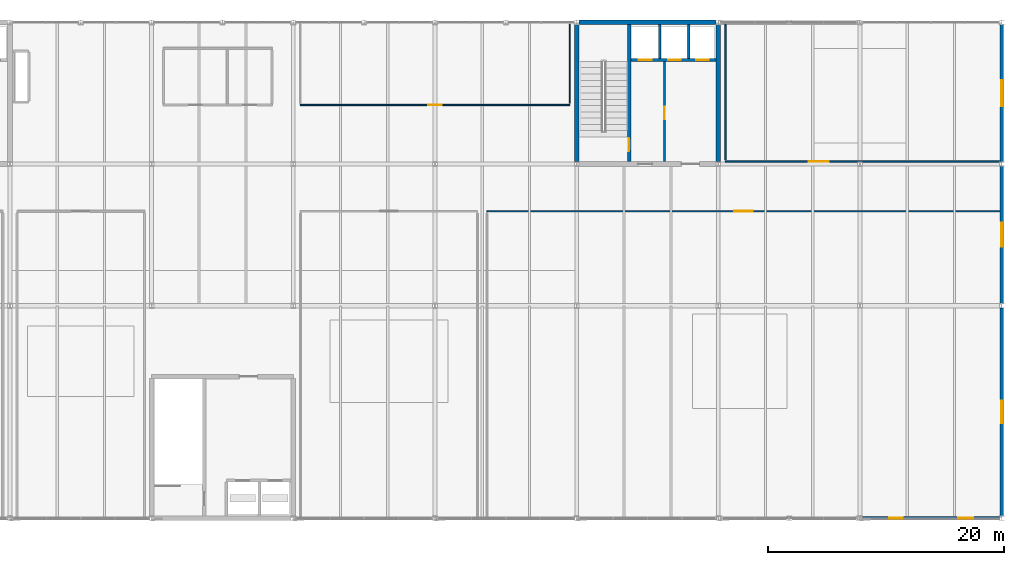
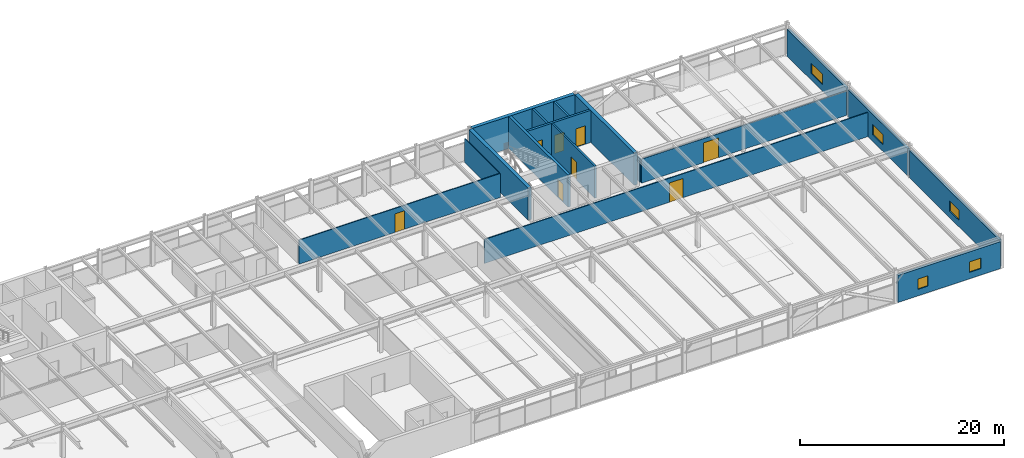
# One storey, part 47 of 52: 17 walls, 8 doors, 5 windows, 13 openings.
"""IFC4 building model written with IfcOpenShell, lengths in metres."""

from ifc_helpers import new_model, si_unit, direction, frame, frame_2d, origin, place, context, subcontext, project, spatial, rectangle, extrude, material, layer, layer_set, type_object, element, fill, save


model = new_model("IFC4")

# Units and contexts
model_context = context("Model", 3, precision=1e-05, world=origin(), true_north=direction((0.0, 1.0)))
body_context = subcontext(model_context, "Body", "Model", "MODEL_VIEW")
ifc_project = project(units=[si_unit("LENGTHUNIT", "METRE"), si_unit("AREAUNIT", "SQUARE_METRE"), si_unit("VOLUMEUNIT", "CUBIC_METRE"), si_unit("PLANEANGLEUNIT", "RADIAN"), si_unit("MASSUNIT", "GRAM", prefix="KILO")], contexts=[model_context])

# Site, building, storey
site_placement = place(None, origin())
site = spatial("IfcSite", under=ifc_project, at=site_placement, CompositionType="ELEMENT")
building_placement = place(site_placement, origin())
building = spatial("IfcBuilding", under=site, at=building_placement, Name="Girod Span Mobility Hub", CompositionType="ELEMENT")
storey_placement = place(building_placement, frame((0.0, 0.0, 45.60009765625)))
storey = spatial("IfcBuildingStorey", under=building, at=storey_placement, Name="L11", CompositionType="ELEMENT", Elevation=45.60009765625)

# Walls
ifc_material_1 = material(Name="Concrete C40/50", Category="concrete")
ifc_layer_1 = layer(ifc_material_1, 0.39990234375)
ifc_layer_set_1 = layer_set([ifc_layer_1], Name="Concrete C40/50")
wall_type_1 = type_object("IfcWallType", Name="W-CW-400", PredefinedType="SHEAR", material=ifc_layer_set_1)
wall_1_placement = place(storey_placement, frame((108.196533203125, 69.0, 0.0), z_axis=(0.0, 0.0, 1.0), x_axis=(1.0, 0.0, 0.0)))
element("IfcWall", 1, at=wall_1_placement, inside=storey, type_object=wall_type_1, Name="Core C2 Shear Wall N L11", PredefinedType="SHEAR", context=body_context, shape_type="SweptSolid", body=[
    extrude(rectangle(XDim=11.60693359375, YDim=0.39990234375, at=frame_2d((5.803466796875, 0.0))), origin(), (0.0, 0.0, 1.0), 3.843017578125),
])
for number, where, z_axis, x_axis, name in (
    (2, (108.0, 57.193603515625, 0.0), (0.0, 0.0, 1.0), (0.0, 1.0, 0.0), "Core C2 Shear Wall W L11"),
    (3, (120.0, 57.193603515625, 0.0), (0.0, 0.0, 1.0), (0.0, 1.0, 0.0), "Core C2 Shear Wall E L11"),
):
    element("IfcWall", number, at=place(storey_placement, frame(where, z_axis=z_axis, x_axis=x_axis)), inside=storey, type_object=wall_type_1, Name=name, PredefinedType="SHEAR", context=body_context, shape_type="SweptSolid", body=[
        extrude(rectangle(XDim=11.61279296875, YDim=0.39990234375, at=frame_2d((5.806396484375, 0.0))), origin(), (0.0, 0.0, 1.0), 3.843017578125),
    ])

# Wall, openings, windows
ifc_material_2 = material(Name="Precast Architectural Concrete C40/50", Category="concrete")
ifc_layer_2 = layer(ifc_material_2, 0.27001953125)
ifc_layer_set_2 = layer_set([ifc_layer_2], Name="Precast Architectural Concrete C40/50")
wall_type_2 = type_object("IfcWallType", Name="W-EXT-270", PredefinedType="SOLIDWALL", material=ifc_layer_set_2)
wall_2_placement = place(storey_placement, frame((132.195068359375, 27.0, 0.0), z_axis=(0.0, 0.0, 1.0), x_axis=(1.0, 0.0, 0.0)))
wall_2 = element("IfcWall", 4, at=wall_2_placement, inside=storey, type_object=wall_type_2, Name="Office Insulated Facade Wall S-12 L11", PredefinedType="SOLIDWALL", context=body_context, shape_type="SweptSolid", body=[
    extrude(rectangle(XDim=11.60986328125, YDim=0.27001953125, at=frame_2d((5.804931640625, 0.0))), origin(), (0.0, 0.0, 1.0), 3.23583984375),
])
opening_1_placement = place(wall_2_placement, frame((2.27490234375, 0.0, 0.780029296875)))
opening_1 = element("IfcOpeningElement", 5, at=opening_1_placement, cuts=wall_2, Name="Opening W-L11-S11A", PredefinedType="OPENING", context=body_context, shape_type="SweptSolid", body=[
    extrude(rectangle(XDim=1.14990234375, YDim=1.25, at=frame_2d((0.574951171875, 0.625))), frame((0.0, 0.14990234375, 0.0), z_axis=(0.0, -1.0, 0.0), x_axis=(1.0, 0.0, 0.0)), (0.0, 0.0, 1.0), 0.300048828125),
])
opening_2_placement = place(wall_2_placement, frame((8.110107421875, 0.0, 0.780029296875)))
opening_2 = element("IfcOpeningElement", 6, at=opening_2_placement, cuts=wall_2, Name="Opening W-L11-S11B", PredefinedType="OPENING", context=body_context, shape_type="SweptSolid", body=[
    extrude(rectangle(XDim=1.300048828125, YDim=1.25, at=frame_2d((0.64990234375, 0.625))), frame((0.0, 0.14990234375, 0.0), z_axis=(0.0, -1.0, 0.0), x_axis=(1.0, 0.0, 0.0)), (0.0, 0.0, 1.0), 0.300048828125),
])
ifc_material_3 = material(Name="Double Low-E Insulated Glazing", Category="glass")
window_type_1 = type_object("IfcWindowType", Name="WN-02", PartitioningType="SINGLE_PANEL", PredefinedType="WINDOW", material=ifc_material_3)
window_1_placement = place(opening_1_placement, origin())
window_1 = element("IfcWindow", 7, at=window_1_placement, inside=storey, type_object=window_type_1, Name="Office Window WN-02", OverallHeight=1.25, OverallWidth=1.14990234375, PartitioningType="SINGLE_PANEL", PredefinedType="WINDOW", context=body_context, shape_type="SweptSolid", body=[
    extrude(rectangle(XDim=1.14990234375, YDim=1.25, at=frame_2d((0.574951171875, 0.625))), frame((0.0, 0.030029296875, 0.0), z_axis=(0.0, -1.0, 0.0), x_axis=(1.0, 0.0, 0.0)), (0.0, 0.0, 1.0), 0.06005859375),
])
fill(opening_1, window_1)
ifc_material_4 = material(Name="Double Low-E Insulated Glazing", Category="glass")
window_type_2 = type_object("IfcWindowType", Name="WN-03", PartitioningType="SINGLE_PANEL", PredefinedType="WINDOW", material=ifc_material_4)
window_2_placement = place(opening_2_placement, origin())
window_2 = element("IfcWindow", 8, at=window_2_placement, inside=storey, type_object=window_type_2, Name="Office Window WN-03", OverallHeight=1.25, OverallWidth=1.300048828125, PartitioningType="SINGLE_PANEL", PredefinedType="WINDOW", context=body_context, shape_type="SweptSolid", body=[
    extrude(rectangle(XDim=1.300048828125, YDim=1.25, at=frame_2d((0.64990234375, 0.625))), frame((0.0, 0.030029296875, 0.0), z_axis=(0.0, -1.0, 0.0), x_axis=(1.0, 0.0, 0.0)), (0.0, 0.0, 1.0), 0.06005859375),
])
fill(opening_2, window_2)

# Wall, opening, window
wall_3_placement = place(storey_placement, frame((144.0, 27.185546875, 0.0), z_axis=(0.0, 0.0, 1.0), x_axis=(0.0, 1.0, 0.0)))
wall_3 = element("IfcWall", 9, at=wall_3_placement, inside=storey, type_object=wall_type_2, Name="End Facade Insulated Wall E-C L11", PredefinedType="SOLIDWALL", context=body_context, shape_type="SweptSolid", body=[
    extrude(rectangle(XDim=17.62890625, YDim=0.27001953125, at=frame_2d((8.814453125, 0.0))), origin(), (0.0, 0.0, 1.0), 3.23583984375),
])
opening_3_placement = place(wall_3_placement, frame((7.864990234375, 0.0, 0.780029296875)))
opening_3 = element("IfcOpeningElement", 10, at=opening_3_placement, cuts=wall_3, Name="Opening W-L11-E2", PredefinedType="OPENING", context=body_context, shape_type="SweptSolid", body=[
    extrude(rectangle(XDim=1.89990234375, YDim=1.25, at=frame_2d((0.949951171875, 0.625))), frame((0.0, 0.14990234375, 0.0), z_axis=(0.0, -1.0, 0.0), x_axis=(1.0, 0.0, 0.0)), (0.0, 0.0, 1.0), 0.300048828125),
])
ifc_material_5 = material(Name="Double Low-E Insulated Glazing", Category="glass")
window_type_3 = type_object("IfcWindowType", Name="WN-07", PartitioningType="DOUBLE_PANEL_VERTICAL", PredefinedType="WINDOW", material=ifc_material_5)
window_3_placement = place(opening_3_placement, origin())
window_3 = element("IfcWindow", 11, at=window_3_placement, inside=storey, type_object=window_type_3, Name="End Office Window WN-07", OverallHeight=1.25, OverallWidth=1.89990234375, PartitioningType="DOUBLE_PANEL_VERTICAL", PredefinedType="WINDOW", context=body_context, shape_type="SweptSolid", body=[
    extrude(rectangle(XDim=1.89990234375, YDim=1.25, at=frame_2d((0.949951171875, 0.625))), frame((0.0, 0.030029296875, 0.0), z_axis=(0.0, -1.0, 0.0), x_axis=(1.0, 0.0, 0.0)), (0.0, 0.0, 1.0), 0.06005859375),
])
fill(opening_3, window_3)

wall_4_placement = place(storey_placement, frame((144.0, 45.185546875, 0.0), z_axis=(0.0, 0.0, 1.0), x_axis=(0.0, 1.0, 0.0)))
wall_4 = element("IfcWall", 12, at=wall_4_placement, inside=storey, type_object=wall_type_2, Name="End Facade Insulated Wall E-D L11", PredefinedType="SOLIDWALL", context=body_context, shape_type="SweptSolid", body=[
    extrude(rectangle(XDim=11.62890625, YDim=0.27001953125, at=frame_2d((5.814453125, 0.0))), origin(), (0.0, 0.0, 1.0), 3.23583984375),
])
opening_4_placement = place(wall_4_placement, frame((4.7900390625, 0.0, 0.780029296875)))
opening_4 = element("IfcOpeningElement", 13, at=opening_4_placement, cuts=wall_4, Name="Opening W-L11-E3", PredefinedType="OPENING", context=body_context, shape_type="SweptSolid", body=[
    extrude(rectangle(XDim=2.050048828125, YDim=1.25, at=frame_2d((1.02490234375, 0.625))), frame((0.0, 0.14990234375, 0.0), z_axis=(0.0, -1.0, 0.0), x_axis=(1.0, 0.0, 0.0)), (0.0, 0.0, 1.0), 0.300048828125),
])
ifc_material_6 = material(Name="Double Low-E Insulated Glazing", Category="glass")
window_type_4 = type_object("IfcWindowType", Name="WN-08", PartitioningType="DOUBLE_PANEL_VERTICAL", PredefinedType="WINDOW", material=ifc_material_6)
window_4_placement = place(opening_4_placement, origin())
window_4 = element("IfcWindow", 14, at=window_4_placement, inside=storey, type_object=window_type_4, Name="End Office Window WN-08", OverallHeight=1.25, OverallWidth=2.050048828125, PartitioningType="DOUBLE_PANEL_VERTICAL", PredefinedType="WINDOW", context=body_context, shape_type="SweptSolid", body=[
    extrude(rectangle(XDim=2.050048828125, YDim=1.25, at=frame_2d((1.02490234375, 0.625))), frame((0.0, 0.030029296875, 0.0), z_axis=(0.0, -1.0, 0.0), x_axis=(1.0, 0.0, 0.0)), (0.0, 0.0, 1.0), 0.06005859375),
])
fill(opening_4, window_4)

wall_5_placement = place(storey_placement, frame((144.0, 57.185546875, 0.0), z_axis=(0.0, 0.0, 1.0), x_axis=(0.0, 1.0, 0.0)))
wall_5 = element("IfcWall", 15, at=wall_5_placement, inside=storey, type_object=wall_type_2, Name="End Facade Insulated Wall E-E L11", PredefinedType="SOLIDWALL", context=body_context, shape_type="SweptSolid", body=[
    extrude(rectangle(XDim=11.62890625, YDim=0.27001953125, at=frame_2d((5.814453125, 0.0))), origin(), (0.0, 0.0, 1.0), 3.23583984375),
])
opening_5_placement = place(wall_5_placement, frame((4.714111328125, 0.0, 0.780029296875)))
opening_5 = element("IfcOpeningElement", 16, at=opening_5_placement, cuts=wall_5, Name="Opening W-L11-E4", PredefinedType="OPENING", context=body_context, shape_type="SweptSolid", body=[
    extrude(rectangle(XDim=2.199951171875, YDim=1.25, at=frame_2d((1.10009765625, 0.625))), frame((0.0, 0.14990234375, 0.0), z_axis=(0.0, -1.0, 0.0), x_axis=(1.0, 0.0, 0.0)), (0.0, 0.0, 1.0), 0.300048828125),
])
ifc_material_7 = material(Name="Double Low-E Insulated Glazing", Category="glass")
window_type_5 = type_object("IfcWindowType", Name="WN-09", PartitioningType="DOUBLE_PANEL_VERTICAL", PredefinedType="WINDOW", material=ifc_material_7)
window_5_placement = place(opening_5_placement, origin())
window_5 = element("IfcWindow", 17, at=window_5_placement, inside=storey, type_object=window_type_5, Name="End Office Window WN-09", OverallHeight=1.25, OverallWidth=2.199951171875, PartitioningType="DOUBLE_PANEL_VERTICAL", PredefinedType="WINDOW", context=body_context, shape_type="SweptSolid", body=[
    extrude(rectangle(XDim=2.199951171875, YDim=1.25, at=frame_2d((1.10009765625, 0.625))), frame((0.0, 0.030029296875, 0.0), z_axis=(0.0, -1.0, 0.0), x_axis=(1.0, 0.0, 0.0)), (0.0, 0.0, 1.0), 0.06005859375),
])
fill(opening_5, window_5)

# Wall, opening, door
ifc_material_8 = material(Name="Concrete C40/50", Category="concrete")
ifc_layer_3 = layer(ifc_material_8, 0.18994140625)
ifc_layer_set_3 = layer_set([ifc_layer_3], Name="Concrete C40/50")
wall_type_3 = type_object("IfcWallType", Name="W-FL-190", PredefinedType="SOLIDWALL", material=ifc_layer_set_3)
wall_6_placement = place(storey_placement, frame((115.449951171875, 57.199951171875, 0.0), z_axis=(0.0, 0.0, 1.0), x_axis=(0.0, 1.0, 0.0)))
wall_6 = element("IfcWall", 18, at=wall_6_placement, inside=storey, type_object=wall_type_3, Name="Core C2 Firefighting Lobby Wall L11", PredefinedType="SOLIDWALL", context=body_context, shape_type="SweptSolid", body=[
    extrude(rectangle(XDim=8.47998046875, YDim=0.18994140625, at=frame_2d((4.239990234375, 0.0))), origin(), (0.0, 0.0, 1.0), 3.8330078125),
])
opening_6_placement = place(wall_6_placement, frame((3.60009765625, 0.0, 0.0)))
opening_6 = element("IfcOpeningElement", 19, at=opening_6_placement, cuts=wall_6, Name="Opening D-FLX-C2-L11", PredefinedType="OPENING", context=body_context, shape_type="SweptSolid", body=[
    extrude(rectangle(XDim=1.0400390625, YDim=2.179931640625, at=frame_2d((0.52001953125, 1.08984375))), frame((0.0, 0.10986328125, 0.0), z_axis=(0.0, -1.0, 0.0), x_axis=(1.0, 0.0, 0.0)), (0.0, 0.0, 1.0), 0.219970703125),
])
ifc_material_9 = material(Name="Fire-Rated Insulated Hollow Metal Steel", Category="steel")
door_type_1 = type_object("IfcDoorType", Name="DT-FD-02", OperationType="NOTDEFINED", PredefinedType="DOOR", material=ifc_material_9)
door_1_placement = place(opening_6_placement, origin())
door_1 = element("IfcDoor", 20, at=door_1_placement, inside=storey, type_object=door_type_1, Name="Firefighting Lobby Interconnect Door C2 L11", OperationType="SINGLE_SWING_RIGHT", OverallHeight=2.179931640625, OverallWidth=1.0400390625, PredefinedType="DOOR", context=body_context, shape_type="SweptSolid", body=[
    extrude(rectangle(XDim=1.0400390625, YDim=2.179931640625, at=frame_2d((0.52001953125, 1.08984375))), frame((0.0, 0.02490234375, 0.0), z_axis=(0.0, -1.0, 0.0), x_axis=(1.0, 0.0, 0.0)), (0.0, 0.0, 1.0), 0.050048828125),
])
fill(opening_6, door_1)

ifc_material_10 = material(Name="Gypsum Acoustic Operable Panel on Galvanised Steel Framing", Category="steel")
ifc_layer_4 = layer(ifc_material_10, 0.10791015625)
ifc_layer_set_4 = layer_set([ifc_layer_4], Name="Gypsum Acoustic Operable Panel on Galvanised Steel Framing")
wall_type_4 = type_object("IfcWallType", Name="W-MOV-108", PredefinedType="MOVABLE", material=ifc_layer_set_4)
wall_7_placement = place(storey_placement, frame((100.39990234375, 53.0, 0.0), z_axis=(0.0, 0.0, 1.0), x_axis=(1.0, 0.0, 0.0)))
wall_7 = element("IfcWall", 21, at=wall_7_placement, inside=storey, type_object=wall_type_4, Name="Office Suite Traffic Operations Partition N", PredefinedType="MOVABLE", context=body_context, shape_type="SweptSolid", body=[
    extrude(rectangle(XDim=43.460205078125, YDim=0.10791015625, at=frame_2d((21.72998046875, 0.0))), origin(), (0.0, 0.0, 1.0), 2.8798828125),
])
opening_7_placement = place(wall_7_placement, frame((20.955078125, 0.0, 0.0)))
opening_7 = element("IfcOpeningElement", 22, at=opening_7_placement, cuts=wall_7, Name="Opening D-L11-CLASS-2", PredefinedType="OPENING", context=body_context, shape_type="SweptSolid", body=[
    extrude(rectangle(XDim=1.550048828125, YDim=2.31005859375, at=frame_2d((0.77490234375, 1.155029296875))), frame((0.0, 0.06884765625, 0.0), z_axis=(0.0, -1.0, 0.0), x_axis=(1.0, 0.0, 0.0)), (0.0, 0.0, 1.0), 0.137939453125),
])
ifc_material_11 = material(Name="Solid-Core Architectural Timber", Category="wood")
door_type_2 = type_object("IfcDoorType", Name="DT-NR-14", OperationType="DOUBLE_DOOR_SINGLE_SWING", PredefinedType="DOOR", material=ifc_material_11)
door_2_placement = place(opening_7_placement, origin())
door_2 = element("IfcDoor", 23, at=door_2_placement, inside=storey, type_object=door_type_2, Name="Office Suite Traffic Operations Door", OperationType="DOUBLE_DOOR_SINGLE_SWING", OverallHeight=2.31005859375, OverallWidth=1.550048828125, PredefinedType="DOOR", context=body_context, shape_type="SweptSolid", body=[
    extrude(rectangle(XDim=1.550048828125, YDim=2.31005859375, at=frame_2d((0.77490234375, 1.155029296875))), frame((0.0, 0.02490234375, 0.0), z_axis=(0.0, -1.0, 0.0), x_axis=(1.0, 0.0, 0.0)), (0.0, 0.0, 1.0), 0.050048828125),
])
fill(opening_7, door_2)

ifc_material_12 = material(Name="Fire-Rated Gypsum Board on Metal Studs", Category="gypsum")
ifc_layer_5 = layer(ifc_material_12, 0.097900390625)
ifc_layer_set_5 = layer_set([ifc_layer_5], Name="Fire-Rated Gypsum Board on Metal Studs")
wall_type_5 = type_object("IfcWallType", Name="W-PT-098", PredefinedType="PARTITIONING", material=ifc_layer_set_5)
wall_8_placement = place(storey_placement, frame((84.60009765625, 62.0, 0.0), z_axis=(0.0, 0.0, 1.0), x_axis=(1.0, 0.0, 0.0)))
wall_8 = element("IfcWall", 24, at=wall_8_placement, inside=storey, type_object=wall_type_5, Name="Planning Studio North Partition S", PredefinedType="PARTITIONING", context=body_context, shape_type="SweptSolid", body=[
    extrude(rectangle(XDim=22.7998046875, YDim=0.097900390625, at=frame_2d((11.39990234375, 0.0))), origin(), (0.0, 0.0, 1.0), 2.8798828125),
])
opening_8_placement = place(wall_8_placement, frame((10.844970703125, 0.0, 0.0)))
opening_8 = element("IfcOpeningElement", 25, at=opening_8_placement, cuts=wall_8, Name="Opening D-L11-STUDIO-NC", PredefinedType="OPENING", context=body_context, shape_type="SweptSolid", body=[
    extrude(rectangle(XDim=1.110107421875, YDim=2.2099609375, at=frame_2d((0.55517578125, 1.10498046875))), frame((0.0, 0.06396484375, 0.0), z_axis=(0.0, -1.0, 0.0), x_axis=(1.0, 0.0, 0.0)), (0.0, 0.0, 1.0), 0.1279296875),
])
ifc_material_13 = material(Name="Solid-Core Architectural Timber", Category="wood")
door_type_3 = type_object("IfcDoorType", Name="DT-NR-06", OperationType="NOTDEFINED", PredefinedType="DOOR", material=ifc_material_13)
door_3_placement = place(opening_8_placement, origin())
door_3 = element("IfcDoor", 26, at=door_3_placement, inside=storey, type_object=door_type_3, Name="Planning Studio North Door", OperationType="SINGLE_SWING_RIGHT", OverallHeight=2.2099609375, OverallWidth=1.110107421875, PredefinedType="DOOR", context=body_context, shape_type="SweptSolid", body=[
    extrude(rectangle(XDim=1.110107421875, YDim=2.2099609375, at=frame_2d((0.55517578125, 1.10498046875))), frame((0.0, 0.02490234375, 0.0), z_axis=(0.0, -1.0, 0.0), x_axis=(1.0, 0.0, 0.0)), (0.0, 0.0, 1.0), 0.050048828125),
])
fill(opening_8, door_3)

# Wall
wall_9_placement = place(storey_placement, frame((107.39990234375, 62.159912109375, 0.0), z_axis=(0.0, 0.0, 1.0), x_axis=(0.0, 1.0, 0.0)))
element("IfcWall", 27, at=wall_9_placement, inside=storey, type_object=wall_type_5, Name="Planning Studio North Partition E", PredefinedType="PARTITIONING", context=body_context, shape_type="SweptSolid", body=[
    extrude(rectangle(XDim=6.7001953125, YDim=0.097900390625, at=frame_2d((3.35009765625, 0.0))), origin(), (0.0, 0.0, 1.0), 2.8798828125),
])

# Wall, opening, door
ifc_material_14 = material(Name="Fire-Rated Gypsum Board on Metal Studs", Category="gypsum")
ifc_layer_6 = layer(ifc_material_14, 0.125)
ifc_layer_set_6 = layer_set([ifc_layer_6], Name="Fire-Rated Gypsum Board on Metal Studs")
wall_type_6 = type_object("IfcWallType", Name="W-PT-125", PredefinedType="PARTITIONING", material=ifc_layer_set_6)
wall_10_placement = place(storey_placement, frame((120.60009765625, 57.199951171875, 0.0), z_axis=(0.0, 0.0, 1.0), x_axis=(1.0, 0.0, 0.0)))
wall_10 = element("IfcWall", 28, at=wall_10_placement, inside=storey, type_object=wall_type_6, Name="Office Suite Operations East Partition S", PredefinedType="PARTITIONING", context=body_context, shape_type="SweptSolid", body=[
    extrude(rectangle(XDim=23.260009765625, YDim=0.125, at=frame_2d((11.6298828125, 0.0))), origin(), (0.0, 0.0, 1.0), 2.8798828125),
])
opening_9_placement = place(wall_10_placement, frame((7.04296875, 0.0, 0.0)))
opening_9 = element("IfcOpeningElement", 29, at=opening_9_placement, cuts=wall_10, Name="Opening D-L11-STUDIO-NE", PredefinedType="OPENING", context=body_context, shape_type="SweptSolid", body=[
    extrude(rectangle(XDim=1.72998046875, YDim=2.3701171875, at=frame_2d((0.864990234375, 1.18505859375))), frame((0.0, 0.077392578125, 0.0), z_axis=(0.0, -1.0, 0.0), x_axis=(1.0, 0.0, 0.0)), (0.0, 0.0, 1.0), 0.155029296875),
])
ifc_material_15 = material(Name="Solid-Core Architectural Timber", Category="wood")
door_type_4 = type_object("IfcDoorType", Name="DT-NR-17", OperationType="DOUBLE_DOOR_SINGLE_SWING", PredefinedType="DOOR", material=ifc_material_15)
door_4_placement = place(opening_9_placement, origin())
door_4 = element("IfcDoor", 30, at=door_4_placement, inside=storey, type_object=door_type_4, Name="Office Suite Operations East Door", OperationType="DOUBLE_DOOR_SINGLE_SWING", OverallHeight=2.3701171875, OverallWidth=1.72998046875, PredefinedType="DOOR", context=body_context, shape_type="SweptSolid", body=[
    extrude(rectangle(XDim=1.72998046875, YDim=2.3701171875, at=frame_2d((0.864990234375, 1.18505859375))), frame((0.0, 0.02490234375, 0.0), z_axis=(0.0, -1.0, 0.0), x_axis=(1.0, 0.0, 0.0)), (0.0, 0.0, 1.0), 0.050048828125),
])
fill(opening_9, door_4)

# Walls
wall_11_placement = place(storey_placement, frame((120.60009765625, 57.360107421875, 0.0), z_axis=(0.0, 0.0, 1.0), x_axis=(0.0, 1.0, 0.0)))
element("IfcWall", 31, at=wall_11_placement, inside=storey, type_object=wall_type_6, Name="Office Suite Operations East Partition W", PredefinedType="PARTITIONING", context=body_context, shape_type="SweptSolid", body=[
    extrude(rectangle(XDim=11.5, YDim=0.125, at=frame_2d((5.75, 0.0))), origin(), (0.0, 0.0, 1.0), 2.8798828125),
])
ifc_material_16 = material(Name="Concrete C40/50", Category="concrete")
ifc_layer_7 = layer(ifc_material_16, 0.199951171875)
ifc_layer_set_7 = layer_set([ifc_layer_7], Name="Concrete C40/50")
wall_type_7 = type_object("IfcWallType", Name="W-SH-200", PredefinedType="SOLIDWALL", material=ifc_layer_set_7)
for number, where, z_axis, x_axis, name in (
    (32, (115.050048828125, 65.919921875, 0.0), (0.0, 0.0, 1.0), (0.0, 1.0, 0.0), "Core C2 Shaft Divider 1 L11"),
    (33, (117.47998046875, 65.919921875, 0.0), (0.0, 0.0, 1.0), (0.0, 1.0, 0.0), "Core C2 Shaft Divider 2 L11"),
):
    element("IfcWall", number, at=place(storey_placement, frame(where, z_axis=z_axis, x_axis=x_axis)), inside=storey, type_object=wall_type_7, Name=name, PredefinedType="SOLIDWALL", context=body_context, shape_type="SweptSolid", body=[
        extrude(rectangle(XDim=2.880126953125, YDim=0.199951171875, at=frame_2d((1.43994140625, 0.0))), origin(), (0.0, 0.0, 1.0), 3.8330078125),
    ])

# Wall, openings, doors
ifc_material_17 = material(Name="Concrete C40/50", Category="concrete")
ifc_layer_8 = layer(ifc_material_17, 0.25)
ifc_layer_set_8 = layer_set([ifc_layer_8], Name="Concrete C40/50")
wall_type_8 = type_object("IfcWallType", Name="W-SH-250", PredefinedType="SOLIDWALL", material=ifc_layer_set_8)
wall_12_placement = place(storey_placement, frame((112.596923828125, 65.800048828125, 0.0), z_axis=(0.0, 0.0, 1.0), x_axis=(1.0, 0.0, 0.0)))
wall_12 = element("IfcWall", 34, at=wall_12_placement, inside=storey, type_object=wall_type_8, Name="Core C2 Hoistway Front Wall L11", PredefinedType="SOLIDWALL", context=body_context, shape_type="SweptSolid", body=[
    extrude(rectangle(XDim=7.2060546875, YDim=0.25, at=frame_2d((3.60302734375, 0.0))), origin(), (0.0, 0.0, 1.0), 3.843017578125),
])
opening_10_placement = place(wall_12_placement, frame((0.653076171875, 0.0, 0.0)))
opening_10 = element("IfcOpeningElement", 35, at=opening_10_placement, cuts=wall_12, Name="Opening LD-FL-2-L11", PredefinedType="OPENING", context=body_context, shape_type="SweptSolid", body=[
    extrude(rectangle(XDim=1.10009765625, YDim=2.239990234375, at=frame_2d((0.550048828125, 1.1201171875))), frame((0.0, 0.139892578125, 0.0), z_axis=(0.0, -1.0, 0.0), x_axis=(1.0, 0.0, 0.0)), (0.0, 0.0, 1.0), 0.280029296875),
])
opening_11_placement = place(wall_12_placement, frame((3.153076171875, 0.0, 0.0)))
opening_11 = element("IfcOpeningElement", 36, at=opening_11_placement, cuts=wall_12, Name="Opening LD-LP-3-L11", PredefinedType="OPENING", context=body_context, shape_type="SweptSolid", body=[
    extrude(rectangle(XDim=1.050048828125, YDim=2.199951171875, at=frame_2d((0.52490234375, 1.10009765625))), frame((0.0, 0.139892578125, 0.0), z_axis=(0.0, -1.0, 0.0), x_axis=(1.0, 0.0, 0.0)), (0.0, 0.0, 1.0), 0.280029296875),
])
opening_12_placement = place(wall_12_placement, frame((5.528076171875, 0.0, 0.0)))
opening_12 = element("IfcOpeningElement", 37, at=opening_12_placement, cuts=wall_12, Name="Opening LD-LP-4-L11", PredefinedType="OPENING", context=body_context, shape_type="SweptSolid", body=[
    extrude(rectangle(XDim=1.050048828125, YDim=2.199951171875, at=frame_2d((0.52490234375, 1.10009765625))), frame((0.0, 0.139892578125, 0.0), z_axis=(0.0, -1.0, 0.0), x_axis=(1.0, 0.0, 0.0)), (0.0, 0.0, 1.0), 0.280029296875),
])
ifc_material_18 = material(Name="Brushed Stainless Steel Grade 304", Category="steel")
door_type_5 = type_object("IfcDoorType", Name="LD-FL-110", OperationType="SLIDING_TO_LEFT", PredefinedType="USERDEFINED", material=ifc_material_18)
door_5_placement = place(opening_10_placement, origin())
door_5 = element("IfcDoor", 38, at=door_5_placement, inside=storey, type_object=door_type_5, Name="Lift FL-2 Sliding Landing Door L11", ObjectType="LANDING DOOR", OperationType="SLIDING_TO_LEFT", OverallHeight=2.239990234375, OverallWidth=1.10009765625, PredefinedType="USERDEFINED", context=body_context, shape_type="SweptSolid", body=[
    extrude(rectangle(XDim=1.10009765625, YDim=2.239990234375, at=frame_2d((0.550048828125, 1.1201171875))), frame((0.0, 0.02490234375, 0.0), z_axis=(0.0, -1.0, 0.0), x_axis=(1.0, 0.0, 0.0)), (0.0, 0.0, 1.0), 0.050048828125),
])
fill(opening_10, door_5)
ifc_material_19 = material(Name="Brushed Stainless Steel Grade 304", Category="steel")
door_type_6 = type_object("IfcDoorType", Name="LD-LP-105", OperationType="SLIDING_TO_LEFT", PredefinedType="USERDEFINED", material=ifc_material_19)
door_6_placement = place(opening_11_placement, origin())
door_6 = element("IfcDoor", 39, at=door_6_placement, inside=storey, type_object=door_type_6, Name="Lift LP-3 Sliding Landing Door L11", ObjectType="LANDING DOOR", OperationType="SLIDING_TO_LEFT", OverallHeight=2.199951171875, OverallWidth=1.050048828125, PredefinedType="USERDEFINED", context=body_context, shape_type="SweptSolid", body=[
    extrude(rectangle(XDim=1.050048828125, YDim=2.199951171875, at=frame_2d((0.52490234375, 1.10009765625))), frame((0.0, 0.02490234375, 0.0), z_axis=(0.0, -1.0, 0.0), x_axis=(1.0, 0.0, 0.0)), (0.0, 0.0, 1.0), 0.050048828125),
])
fill(opening_11, door_6)
door_7_placement = place(opening_12_placement, origin())
door_7 = element("IfcDoor", 40, at=door_7_placement, inside=storey, type_object=door_type_6, Name="Lift LP-4 Sliding Landing Door L11", ObjectType="LANDING DOOR", OperationType="SLIDING_TO_LEFT", OverallHeight=2.199951171875, OverallWidth=1.050048828125, PredefinedType="USERDEFINED", context=body_context, shape_type="SweptSolid", body=[
    extrude(rectangle(XDim=1.050048828125, YDim=2.199951171875, at=frame_2d((0.52490234375, 1.10009765625))), frame((0.0, 0.02490234375, 0.0), z_axis=(0.0, -1.0, 0.0), x_axis=(1.0, 0.0, 0.0)), (0.0, 0.0, 1.0), 0.050048828125),
])
fill(opening_12, door_7)

# Wall, opening, door
ifc_material_20 = material(Name="Concrete C40/50", Category="concrete")
ifc_layer_9 = layer(ifc_material_20, 0.300048828125)
ifc_layer_set_9 = layer_set([ifc_layer_9], Name="Concrete C40/50")
wall_type_9 = type_object("IfcWallType", Name="W-SH-300", PredefinedType="SHEAR", material=ifc_layer_set_9)
wall_13_placement = place(storey_placement, frame((112.449951171875, 57.197021484375, 0.0), z_axis=(0.0, 0.0, 1.0), x_axis=(0.0, 1.0, 0.0)))
wall_13 = element("IfcWall", 41, at=wall_13_placement, inside=storey, type_object=wall_type_9, Name="Core C2 Stairwell Spine Wall L11", PredefinedType="SHEAR", context=body_context, shape_type="SweptSolid", body=[
    extrude(rectangle(XDim=11.60595703125, YDim=0.300048828125, at=frame_2d((5.802978515625, 0.0))), origin(), (0.0, 0.0, 1.0), 3.843017578125),
])
opening_13_placement = place(wall_13_placement, frame((0.89990234375, 0.0, 0.0)))
opening_13 = element("IfcOpeningElement", 42, at=opening_13_placement, cuts=wall_13, Name="Opening D-ST-2-L11", PredefinedType="OPENING", context=body_context, shape_type="SweptSolid", body=[
    extrude(rectangle(XDim=1.10009765625, YDim=2.199951171875, at=frame_2d((0.550048828125, 1.10009765625))), frame((0.0, 0.1650390625, 0.0), z_axis=(0.0, -1.0, 0.0), x_axis=(1.0, 0.0, 0.0)), (0.0, 0.0, 1.0), 0.330078125),
])
ifc_material_21 = material(Name="Fire-Rated Insulated Hollow Metal Steel", Category="steel")
door_type_7 = type_object("IfcDoorType", Name="DT-FD-01", OperationType="NOTDEFINED", PredefinedType="DOOR", material=ifc_material_21)
door_8_placement = place(opening_13_placement, origin())
door_8 = element("IfcDoor", 43, at=door_8_placement, inside=storey, type_object=door_type_7, Name="Stair ST-2 Fire Door L11", OperationType="SINGLE_SWING_LEFT", OverallHeight=2.199951171875, OverallWidth=1.10009765625, PredefinedType="DOOR", context=body_context, shape_type="SweptSolid", body=[
    extrude(rectangle(XDim=1.10009765625, YDim=2.199951171875, at=frame_2d((0.550048828125, 1.10009765625))), frame((0.0, 0.02490234375, 0.0), z_axis=(0.0, -1.0, 0.0), x_axis=(1.0, 0.0, 0.0)), (0.0, 0.0, 1.0), 0.050048828125),
])
fill(opening_13, door_8)

save(model, "model.ifc")
